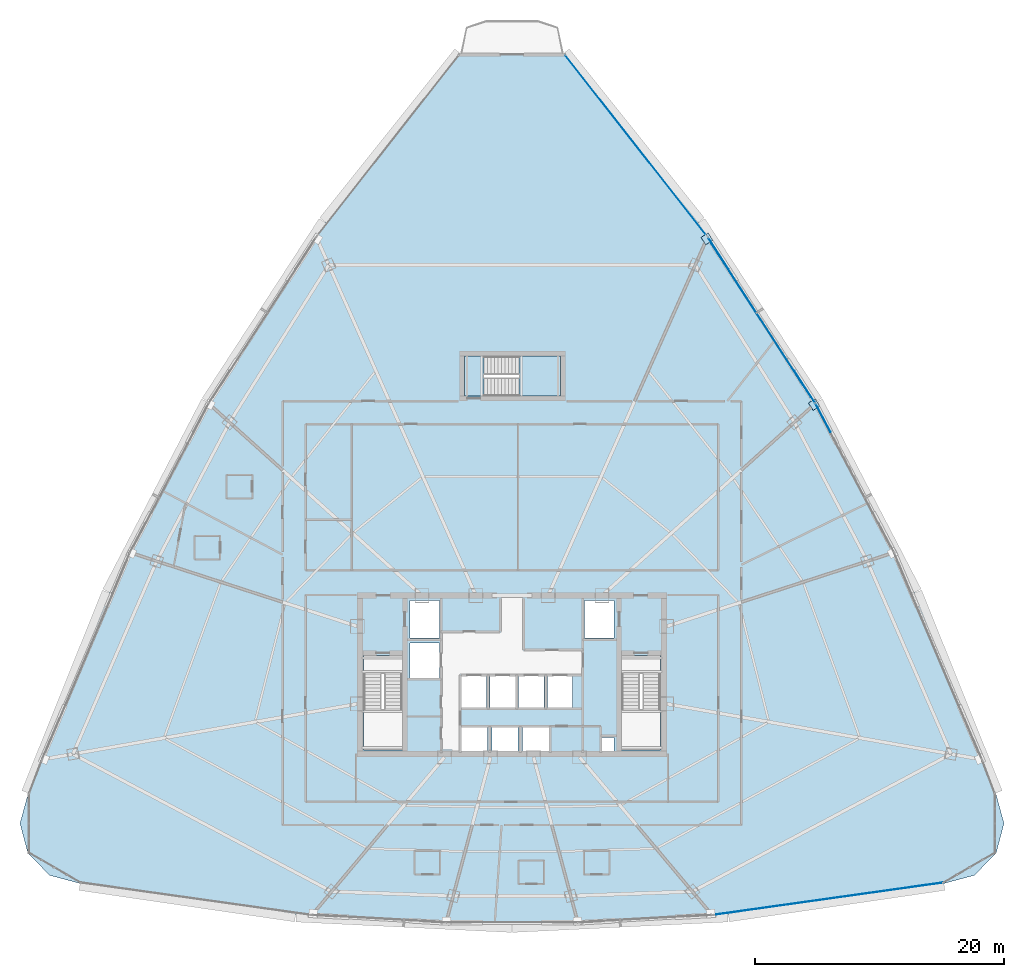
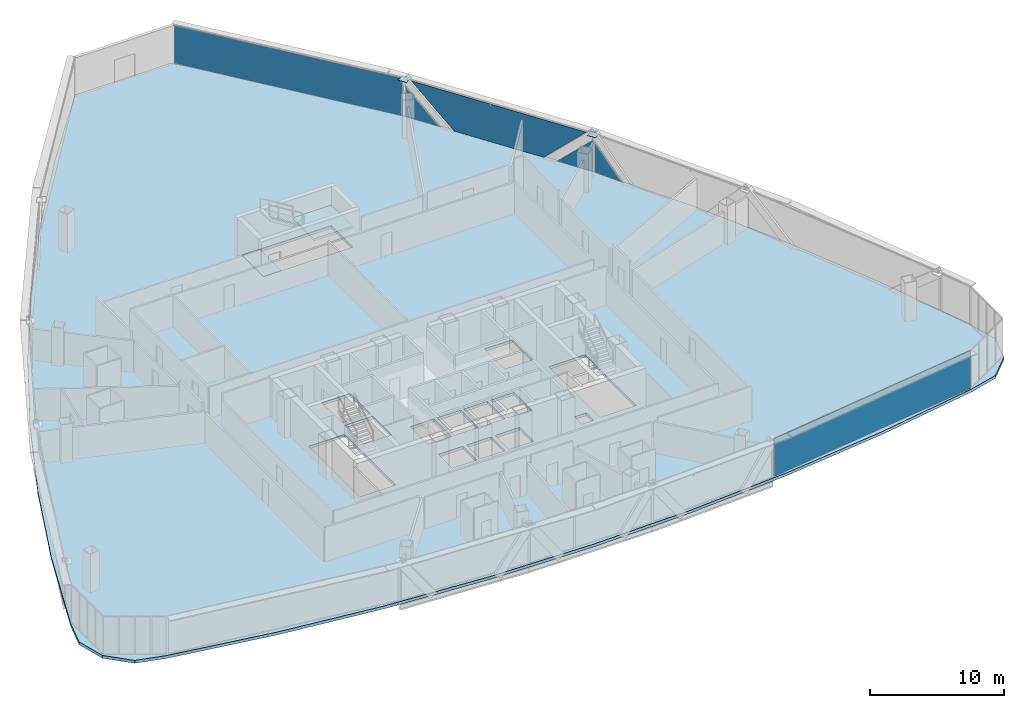
# One storey, part 30 of 40: 8 plates, 3 slabs, 5 elements without a shape of their own.
"""IFC4 building model written with IfcOpenShell, lengths in metres."""

from ifc_helpers import new_model, si_unit, direction, frame, origin, origin_2d, place, context, subcontext, project, spatial, polyline, rectangle, outline, extrude, source, transform, mapped, material, layer, layer_set, type_object, element, aggregate, save


model = new_model("IFC4")

# Units and contexts
model_context = context("Model", 3, precision=1e-05, world=origin(), true_north=direction((0.0, 1.0)))
body_context = subcontext(model_context, "Body", "Model", "MODEL_VIEW")
ifc_project = project(units=[si_unit("LENGTHUNIT", "METRE"), si_unit("AREAUNIT", "SQUARE_METRE"), si_unit("VOLUMEUNIT", "CUBIC_METRE"), si_unit("PLANEANGLEUNIT", "RADIAN"), si_unit("MASSUNIT", "GRAM", prefix="KILO"), si_unit("THERMODYNAMICTEMPERATUREUNIT", "KELVIN"), si_unit("POWERUNIT", "WATT")], contexts=[model_context])

# Site, building, storey
site_placement = place(None, origin())
site = spatial("IfcSite", under=ifc_project, at=site_placement, CompositionType="ELEMENT")
building_placement = place(site_placement, origin())
building = spatial("IfcBuilding", under=site, at=building_placement, Name="Yunzhuo Pagoda Commons", CompositionType="ELEMENT")
storey_placement = place(building_placement, frame((0.0, 0.0, 188.56005859375)))
storey = spatial("IfcBuildingStorey", under=building, at=storey_placement, Name="L47", CompositionType="ELEMENT", Elevation=188.56005859375)

# Curtain wall, plate
ifc_material_1 = material(Name="Anodized aluminium 6063-T6", Category="aluminium")
ifc_layer_1 = layer(ifc_material_1, 0.14990234375)
ifc_layer_set_1 = layer_set([ifc_layer_1], Name="Anodized aluminium 6063-T6")
curtain_wall_type = type_object("IfcCurtainWallType", Name="CW-MID Mid-Zone Ribbon Curtain Wall", PredefinedType="NOTDEFINED", material=ifc_layer_set_1)
curtain_wall_1_placement = place(storey_placement, origin())
curtain_wall_1 = element("IfcCurtainWall", 1, at=curtain_wall_1_placement, inside=storey, type_object=curtain_wall_type, Name="L47 curtain wall CW-L47-F2B3", PredefinedType="NOTDEFINED")
ifc_material_2 = material(Name="Tempered low-e double glazing", Category="glass")
ifc_layer_2 = layer(ifc_material_2, 0.028076171875)
ifc_layer_set_2 = layer_set([ifc_layer_2], Name="Tempered low-e double glazing")
plate_type_1 = type_object("IfcPlateType", Name="CW-MID-P Low-E Double Glazing 28", PredefinedType="CURTAIN_PANEL", material=ifc_layer_set_2)
plate_1_placement = place(storey_placement, frame((72.941650390625, 54.43310546875, 1.477783203125), z_axis=(0.884373131246, 0.46678063877, 0.0), x_axis=(-0.46678063877, 0.884373131246, 0.0)))
plate_1 = element("IfcPlate", 2, at=plate_1_placement, type_object=plate_type_1, Name="CW panel 1.1 lite 3", PredefinedType="CURTAIN_PANEL", context=body_context, shape_type="SweptSolid", body=[
    extrude(outline(polyline([(-1.265380859375, -1.4228515625), (1.265380859375, -1.4228515625), (1.265380859375, 1.4228515625), (-1.265380859375, -1.4228515625)])), origin(), (0.0, 0.0, 1.0), 0.028076171875),
])
aggregate(curtain_wall_1, [plate_1])

# Curtain wall, plates
curtain_wall_2_placement = place(storey_placement, origin())
curtain_wall_2 = element("IfcCurtainWall", 3, at=curtain_wall_2_placement, inside=storey, type_object=curtain_wall_type, Name="L47 curtain wall CW-L47-F2B4", PredefinedType="NOTDEFINED")
plate_2_placement = place(storey_placement, frame((71.466796875, 56.9287109375, 1.505859375), z_axis=(0.839626850374, 0.543163651335, 0.0), x_axis=(-0.543163651335, 0.839626850374, 0.0)))
plate_2 = element("IfcPlate", 4, at=plate_2_placement, type_object=plate_type_1, Name="CW panel 1.1 lite 1", PredefinedType="CURTAIN_PANEL", context=body_context, shape_type="SweptSolid", body=[
    extrude(outline(polyline([(-1.517578125, -1.450927734375), (1.517578125, -1.450927734375), (-1.517578125, 1.450927734375), (-1.517578125, -1.450927734375)])), origin(), (0.0, 0.0, 1.0), 0.028076171875),
])
plate_3_placement = place(storey_placement, frame((67.98046875, 62.2626953125, 1.77001953125), z_axis=(0.839626850374, 0.543163651335, 0.0), x_axis=(-0.543163651335, 0.839626850374, 0.0)))
plate_3 = element("IfcPlate", 5, at=plate_3_placement, type_object=plate_type_1, Name="CW panel 1.1 lite 2", PredefinedType="CURTAIN_PANEL", context=body_context, shape_type="SweptSolid", body=[
    extrude(outline(polyline([(-7.34228515625, 1.715087890625), (-3.75439453125, -1.715087890625), (3.75439453125, -1.715087890625), (7.34228515625, 1.715087890625), (-7.34228515625, 1.715087890625)])), origin(), (0.0, 0.0, 1.0), 0.028076171875),
])
plate_4_placement = place(storey_placement, frame((64.544677734375, 67.629150390625, 1.505859375), z_axis=(0.839626850374, 0.543163651335, 0.0), x_axis=(-0.543163651335, 0.839626850374, 0.0)))
plate_4 = element("IfcPlate", 6, at=plate_4_placement, type_object=plate_type_1, Name="CW panel 1.1 lite 3", PredefinedType="CURTAIN_PANEL", context=body_context, shape_type="SweptSolid", body=[
    extrude(outline(polyline([(-1.517578125, -1.450927734375), (1.517578125, -1.450927734375), (1.517578125, 1.450927734375), (-1.517578125, -1.450927734375)])), origin(), (0.0, 0.0, 1.0), 0.028076171875),
])
aggregate(curtain_wall_2, [plate_2, plate_3, plate_4])

# Stair, slabs
ifc_material_3 = material(Name="Concrete C40", Category="concrete")
stair_type = type_object("IfcStairType", Name="ST-C3 North Tower Smokeproof Stair ST3", PredefinedType="HALF_TURN_STAIR", material=ifc_material_3)
stair_placement = place(storey_placement, origin())
stair = element("IfcStair", 7, at=stair_placement, inside=storey, type_object=stair_type, Name="L47 North tower smokeproof stair ST3", PredefinedType="HALF_TURN_STAIR")
ifc_layer_3 = layer(ifc_material_3, 0.2041015625)
ifc_layer_set_3 = layer_set([ifc_layer_3], Name="Concrete C40")
slab_type_1 = type_object("IfcSlabType", Name="SL-LND5 North Landing Slab 204", PredefinedType="LANDING", material=ifc_layer_set_3)
slab_1_placement = place(storey_placement, frame((0.0, 0.0, 1.699951171875)))
slab_1 = element("IfcSlab", 8, at=slab_1_placement, type_object=slab_type_1, Name="ST3 landing 1", PredefinedType="LANDING", context=body_context, shape_type="SweptSolid", body=[
    extrude(outline(polyline([(48.550048828125, 56.199951171875), (51.89990234375, 56.199951171875), (51.89990234375, 59.39990234375), (48.550048828125, 59.39990234375), (48.550048828125, 56.199951171875)])), origin(), (0.0, 0.0, 1.0), 0.199951171875),
])
slab_2_placement = place(storey_placement, frame((0.0, 0.0, -0.199951171875)))
slab_2 = element("IfcSlab", 9, at=slab_2_placement, type_object=slab_type_1, Name="ST3 floor landing L47", PredefinedType="LANDING", context=body_context, shape_type="SweptSolid", body=[
    extrude(outline(polyline([(44.199951171875, 56.199951171875), (45.75, 56.199951171875), (45.75, 59.39990234375), (44.199951171875, 59.39990234375), (44.199951171875, 56.199951171875)])), origin(), (0.0, 0.0, 1.0), 0.199951171875),
])
aggregate(stair, [slab_1, slab_2])

# Slab
ifc_layer_4 = layer(ifc_material_3, 0.260009765625)
ifc_layer_set_4 = layer_set([ifc_layer_4], Name="Concrete C40")
slab_type_2 = type_object("IfcSlabType", Name="SL-TWR Typical Tower Floor Slab 260", PredefinedType="FLOOR", material=ifc_layer_set_4)
slab_3_placement = place(storey_placement, frame((0.0, 0.0, -0.260009765625)))
element("IfcSlab", 10, at=slab_3_placement, inside=storey, type_object=slab_type_2, Name="L47 structural floor slab", PredefinedType="FLOOR", context=body_context, shape_type="SweptSolid", body=[
    extrude(outline(polyline([(12.25390625, 32.49609375), (15.67626953125, 40.45068359375), (19.462890625, 48.1923828125), (23.614013671875, 55.7216796875), (28.129150390625, 63.038330078125), (33.00830078125, 70.142333984375), (38.251953125, 77.03369140625), (43.859619140625, 83.712646484375), (52.140380859375, 83.712646484375), (57.748046875, 77.03369140625), (62.99169921875, 70.142333984375), (67.870849609375, 63.038330078125), (72.385986328125, 55.7216796875), (76.537109375, 48.1923828125), (80.32373046875, 40.45068359375), (83.74609375, 32.49609375), (86.8046875, 24.3291015625), (87.45849609375, 21.929443359375), (86.82177734375, 19.525146484375), (85.06640625, 17.76318359375), (82.664306640625, 17.1181640625), (73.998291015625, 15.64208984375), (65.33203125, 14.587890625), (56.666015625, 13.955322265625), (48.0, 13.74462890625), (39.333984375, 13.955322265625), (30.667724609375, 14.587890625), (22.001708984375, 15.64208984375), (13.335693359375, 17.1181640625), (10.93359375, 17.76318359375), (9.17822265625, 19.525146484375), (8.54150390625, 21.929443359375), (9.1953125, 24.3291015625), (12.25390625, 32.49609375)]), holes=[polyline([(46.050048828125, 29.64990234375), (43.949951171875, 29.64990234375), (43.949951171875, 27.60009765625), (46.050048828125, 27.60009765625), (46.050048828125, 29.64990234375)]), polyline([(48.5, 27.60009765625), (48.5, 29.64990234375), (46.39990234375, 29.64990234375), (46.39990234375, 27.60009765625), (48.5, 27.60009765625)]), polyline([(36.10009765625, 27.800048828125), (39.199951171875, 27.800048828125), (39.199951171875, 35.39990234375), (36.10009765625, 35.39990234375), (36.10009765625, 27.800048828125)]), polyline([(45.969970703125, 31.199951171875), (45.969970703125, 33.800048828125), (43.929931640625, 33.800048828125), (43.929931640625, 31.199951171875), (45.969970703125, 31.199951171875)]), polyline([(48.27001953125, 31.199951171875), (48.27001953125, 33.800048828125), (46.22998046875, 33.800048828125), (46.22998046875, 31.199951171875), (48.27001953125, 31.199951171875)]), polyline([(42.199951171875, 33.60009765625), (42.199951171875, 36.39990234375), (39.800048828125, 36.39990234375), (39.800048828125, 33.60009765625), (42.199951171875, 33.60009765625)]), polyline([(42.199951171875, 36.800048828125), (42.199951171875, 39.800048828125), (39.800048828125, 39.800048828125), (39.800048828125, 36.800048828125), (42.199951171875, 36.800048828125)]), polyline([(56.179931640625, 28.800048828125), (55.179931640625, 28.800048828125), (55.179931640625, 27.699951171875), (56.179931640625, 27.699951171875), (56.179931640625, 28.800048828125)]), polyline([(50.949951171875, 27.60009765625), (50.949951171875, 29.64990234375), (48.85009765625, 29.64990234375), (48.85009765625, 27.60009765625), (50.949951171875, 27.60009765625)]), polyline([(56.800048828125, 27.800048828125), (59.89990234375, 27.800048828125), (59.89990234375, 35.39990234375), (56.800048828125, 35.39990234375), (56.800048828125, 27.800048828125)]), polyline([(50.570068359375, 31.199951171875), (50.570068359375, 33.800048828125), (48.530029296875, 33.800048828125), (48.530029296875, 31.199951171875), (50.570068359375, 31.199951171875)]), polyline([(52.8701171875, 31.199951171875), (52.8701171875, 33.800048828125), (50.830078125, 33.800048828125), (50.830078125, 31.199951171875), (52.8701171875, 31.199951171875)]), polyline([(56.199951171875, 36.800048828125), (56.199951171875, 39.800048828125), (53.800048828125, 39.800048828125), (53.800048828125, 36.800048828125), (56.199951171875, 36.800048828125)]), polyline([(51.89990234375, 56.199951171875), (51.89990234375, 59.39990234375), (44.199951171875, 59.39990234375), (44.199951171875, 56.199951171875), (51.89990234375, 56.199951171875)])]), origin(), (0.0, 0.0, 1.0), 0.260009765625),
])

# Plates
ifc_material_4 = material(Name="Structural steel Q355B", Category="steel")
ifc_layer_5 = layer(ifc_material_4, 0.028076171875)
ifc_layer_set_5 = layer_set([ifc_layer_5], Name="Structural steel Q355B")
plate_type_2 = type_object("IfcPlateType", Name="SP-ND1 Lattice Node Cap Plate 800x500x28", PredefinedType="USERDEFINED", material=ifc_layer_set_5)
shared_shape_1 = source(origin(), body_context, "Body", "SweptSolid", [
    extrude(rectangle(XDim=0.699951171875, YDim=0.678955078125, at=origin_2d()), origin(), (0.0, 0.0, 1.0), 0.035888671875),
])
plate_5_placement = place(storey_placement, frame((63.63232421875, 68.81103515625, 3.501953125), z_axis=(0.0, 0.0, 1.0), x_axis=(-0.543159795737, 0.839629344589, 0.0)))
element("IfcPlate", 11, at=plate_5_placement, inside=storey, type_object=plate_type_2, Name="L47 setback lattice tie plate F2.3R", ObjectType="STIFFENER_PLATE", PredefinedType="USERDEFINED", context=body_context, shape_type="MappedRepresentation", body=[
    mapped(shared_shape_1, transform((0.0, 0.0, 0.0), scale=1.0)),
])
shared_shape_2 = source(origin(), body_context, "Body", "SweptSolid", [
    extrude(rectangle(XDim=0.699951171875, YDim=0.634033203125, at=origin_2d()), origin(), (0.0, 0.0, 1.0), 0.035888671875),
])
plate_6_placement = place(storey_placement, frame((72.229736328125, 55.5166015625, 3.501953125), z_axis=(0.0, 0.0, 1.0), x_axis=(-0.543159795737, 0.839629344589, 0.0)))
element("IfcPlate", 12, at=plate_6_placement, inside=storey, type_object=plate_type_2, Name="L47 setback lattice tie plate F2.3L", ObjectType="STIFFENER_PLATE", PredefinedType="USERDEFINED", context=body_context, shape_type="MappedRepresentation", body=[
    mapped(shared_shape_2, transform((0.0, 0.0, 0.0), scale=1.0)),
])

# Curtain wall, plate
curtain_wall_3_placement = place(storey_placement, origin())
curtain_wall_3 = element("IfcCurtainWall", 13, at=curtain_wall_3_placement, inside=storey, type_object=curtain_wall_type, Name="L47 curtain wall CW-L47-F1B5", PredefinedType="NOTDEFINED")
shared_shape_3 = source(origin(), body_context, "Body", "SweptSolid", [
    extrude(rectangle(XDim=18.564453125, YDim=0.028076171875, at=origin_2d()), origin(), (0.0, 0.0, 1.0), 3.429931640625),
])
plate_7_placement = place(storey_placement, frame((73.373046875, 15.88671875, 0.05517578125), z_axis=(0.0, 0.0, 1.0), x_axis=(0.990259634524, 0.139233100351, 0.0)))
plate_7 = element("IfcPlate", 14, at=plate_7_placement, type_object=plate_type_1, Name="CW panel 1.1", PredefinedType="CURTAIN_PANEL", context=body_context, shape_type="MappedRepresentation", body=[
    mapped(shared_shape_3, transform((0.0, 0.0, 0.0), scale=1.0)),
])
aggregate(curtain_wall_3, [plate_7])

curtain_wall_4_placement = place(storey_placement, origin())
curtain_wall_4 = element("IfcCurtainWall", 15, at=curtain_wall_4_placement, inside=storey, type_object=curtain_wall_type, Name="L47 curtain wall CW-L47-F2B5", PredefinedType="NOTDEFINED")
shared_shape_4 = source(origin(), body_context, "Body", "SweptSolid", [
    extrude(rectangle(XDim=18.384765625, YDim=0.028076171875, at=origin_2d()), origin(), (0.0, 0.0, 1.0), 3.429931640625),
])
plate_8_placement = place(storey_placement, frame((57.944091796875, 76.301513671875, 0.05517578125), z_axis=(0.0, 0.0, 1.0), x_axis=(-0.617016460427, 0.786950244655, 0.0)))
plate_8 = element("IfcPlate", 16, at=plate_8_placement, type_object=plate_type_1, Name="CW panel 1.1", PredefinedType="CURTAIN_PANEL", context=body_context, shape_type="MappedRepresentation", body=[
    mapped(shared_shape_4, transform((0.0, 0.0, 0.0), scale=1.0)),
])
aggregate(curtain_wall_4, [plate_8])

save(model, "model.ifc")
